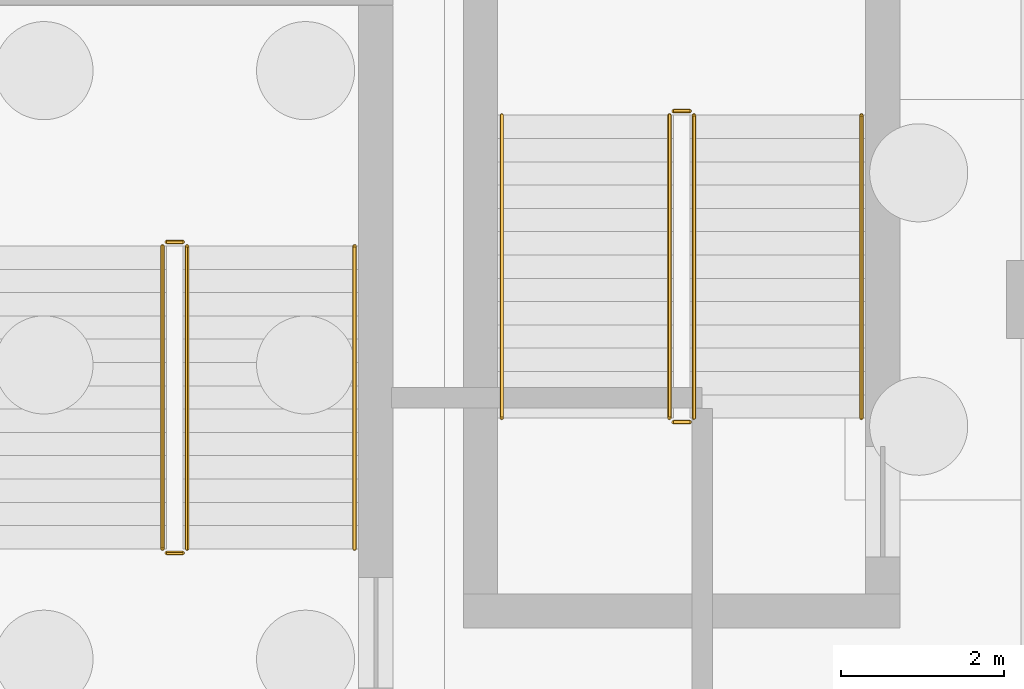
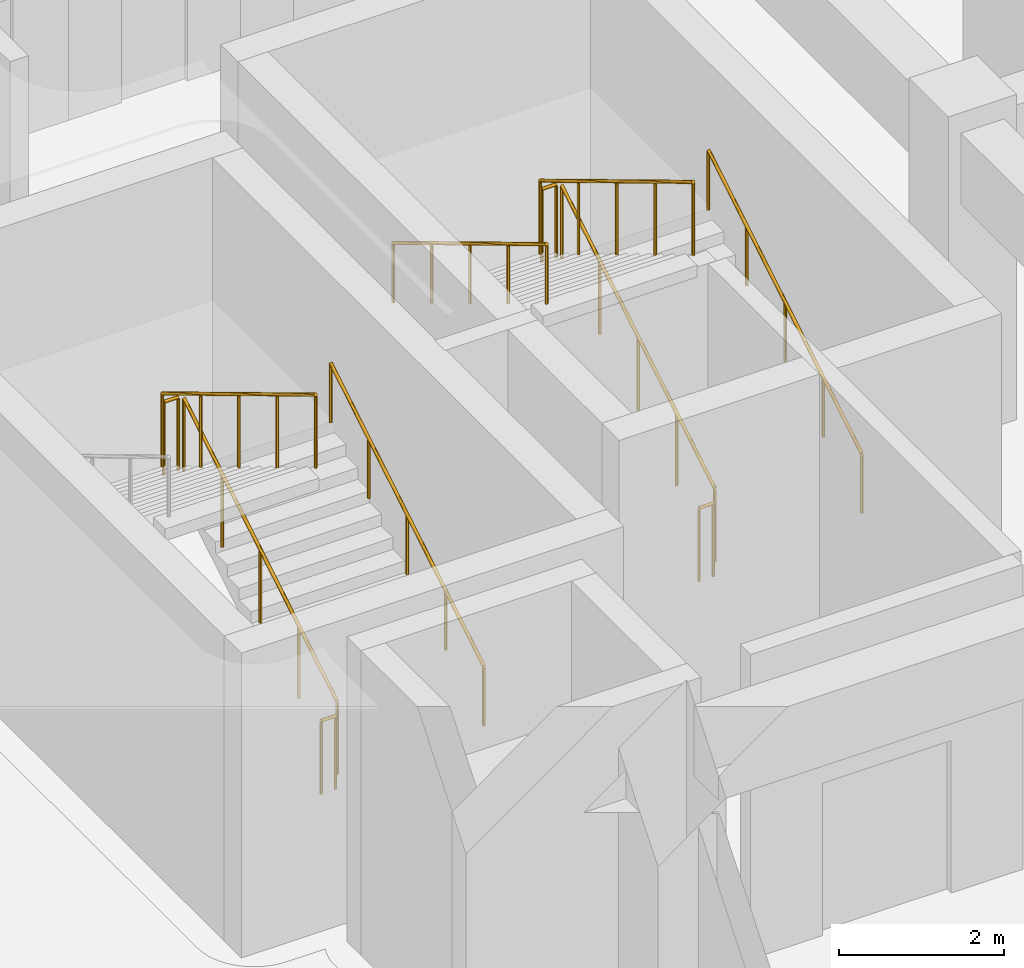
# One storey, part 22 of 47: 11 railings.
"""IFC4 building model written with IfcOpenShell, lengths in metres."""

from ifc_helpers import new_model, si_unit, direction, frame, origin, origin_2d, place, context, subcontext, project, spatial, circle, extrude, material, type_object, element, save


model = new_model("IFC4")

# Units and contexts
model_context = context("Model", 3, precision=1e-05, world=origin(), true_north=direction((0.0, 1.0)))
body_context = subcontext(model_context, "Body", "Model", "MODEL_VIEW")
ifc_project = project(units=[si_unit("LENGTHUNIT", "METRE"), si_unit("AREAUNIT", "SQUARE_METRE"), si_unit("VOLUMEUNIT", "CUBIC_METRE"), si_unit("PLANEANGLEUNIT", "RADIAN"), si_unit("MASSUNIT", "GRAM", prefix="KILO")], contexts=[model_context])

# Site, building, storey
site_placement = place(None, origin())
site = spatial("IfcSite", under=ifc_project, at=site_placement, CompositionType="ELEMENT")
building_placement = place(site_placement, origin())
building = spatial("IfcBuilding", under=site, at=building_placement, Name="Cendralis Terraced Arcade", CompositionType="ELEMENT")
storey_placement = place(building_placement, frame((0.0, 0.0, -4.800048828125)))
storey = spatial("IfcBuildingStorey", under=building, at=storey_placement, Name="B1", CompositionType="ELEMENT", Elevation=-4.800048828125)

# Railings
ifc_material = material(Name="Brushed stainless steel AISI 316", Category="steel")
railing_type_1 = type_object("IfcRailingType", Name="RL-STAIR-GUARD-1100", PredefinedType="GUARDRAIL", material=ifc_material)
railing_1_placement = place(storey_placement, frame((8.699951171875, 25.75, 0.17138671875)))
element("IfcRailing", 1, at=railing_1_placement, inside=storey, type_object=railing_type_1, Name="B1 ST-01 stair guard 1", PredefinedType="GUARDRAIL", context=body_context, shape_type="SweptSolid", body=[
    extrude(circle(Radius=0.02392578125, at=origin_2d()), frame((0.0, 0.0, 1.076171875), z_axis=(0.0, 0.856909459561, 0.515466951525), x_axis=(-1.0, 0.0, 0.0)), (0.0, 0.0, 1.0), 4.32373046875),
    extrude(circle(Radius=0.02099609375, at=origin_2d()), origin(), (0.0, 0.0, 1.0), 1.052001953125),
    extrude(circle(Radius=0.02099609375, at=origin_2d()), frame((0.0, 0.92626953125, 0.55712890625)), (0.0, 0.0, 1.0), 1.052001953125),
    extrude(circle(Radius=0.02099609375, at=origin_2d()), frame((0.0, 1.8525390625, 1.1142578125)), (0.0, 0.0, 1.0), 1.052001953125),
    extrude(circle(Radius=0.02099609375, at=origin_2d()), frame((0.0, 2.77880859375, 1.671630859375)), (0.0, 0.0, 1.0), 1.052001953125),
    extrude(circle(Radius=0.02099609375, at=origin_2d()), frame((0.0, 3.705078125, 2.228759765625)), (0.0, 0.0, 1.0), 1.052001953125),
])
railing_2_placement = place(storey_placement, frame((8.64990234375, 29.5048828125, 2.400146484375)))
element("IfcRailing", 2, at=railing_2_placement, inside=storey, type_object=railing_type_1, Name="B1 ST-01 stair guard 2", PredefinedType="GUARDRAIL", context=body_context, shape_type="SweptSolid", body=[
    extrude(circle(Radius=0.02392578125, at=origin_2d()), frame((0.0, 0.0, 1.076171875), z_axis=(-1.0, 0.0, 0.0), x_axis=(0.0, -1.0, 0.0)), (0.0, 0.0, 1.0), 0.199951171875),
    extrude(circle(Radius=0.02099609375, at=origin_2d()), origin(), (0.0, 0.0, 1.0), 1.052001953125),
    extrude(circle(Radius=0.02099609375, at=origin_2d()), frame((-0.199951171875, 0.0, 0.0)), (0.0, 0.0, 1.0), 1.052001953125),
])
railing_3_placement = place(storey_placement, frame((8.39990234375, 29.455078125, 2.571533203125)))
element("IfcRailing", 3, at=railing_3_placement, inside=storey, type_object=railing_type_1, Name="B1 ST-01 stair guard 3", PredefinedType="GUARDRAIL", context=body_context, shape_type="SweptSolid", body=[
    extrude(circle(Radius=0.02392578125, at=origin_2d()), frame((0.0, 0.0, 1.076171875), z_axis=(0.0, -0.856934400257, 0.515425487977), x_axis=(1.0, 0.0, 0.0)), (0.0, 0.0, 1.0), 4.32373046875),
    extrude(circle(Radius=0.02099609375, at=origin_2d()), origin(), (0.0, 0.0, 1.0), 1.052001953125),
    extrude(circle(Radius=0.02099609375, at=origin_2d()), frame((0.0, -0.92626953125, 0.55712890625)), (0.0, 0.0, 1.0), 1.052001953125),
    extrude(circle(Radius=0.02099609375, at=origin_2d()), frame((0.0, -1.8525390625, 1.1142578125)), (0.0, 0.0, 1.0), 1.052001953125),
    extrude(circle(Radius=0.02099609375, at=origin_2d()), frame((0.0, -2.77880859375, 1.67138671875)), (0.0, 0.0, 1.0), 1.052001953125),
    extrude(circle(Radius=0.02099609375, at=origin_2d()), frame((0.0, -3.705078125, 2.228515625)), (0.0, 0.0, 1.0), 1.052001953125),
])
railing_4_placement = place(storey_placement, frame((8.64990234375, 25.699951171875, 0.0)))
element("IfcRailing", 4, at=railing_4_placement, inside=storey, type_object=railing_type_1, Name="B1 ST-01 stair guard 4", PredefinedType="GUARDRAIL", context=body_context, shape_type="SweptSolid", body=[
    extrude(circle(Radius=0.02392578125, at=origin_2d()), frame((0.0, 0.0, 1.076171875), z_axis=(-1.0, 0.0, 0.0), x_axis=(0.0, -1.0, 0.0)), (0.0, 0.0, 1.0), 0.199951171875),
    extrude(circle(Radius=0.02099609375, at=origin_2d()), origin(), (0.0, 0.0, 1.0), 1.052001953125),
    extrude(circle(Radius=0.02099609375, at=origin_2d()), frame((-0.199951171875, 0.0, 0.0)), (0.0, 0.0, 1.0), 1.052001953125),
])
railing_5_placement = place(storey_placement, frame((14.89990234375, 27.35009765625, 0.17138671875)))
element("IfcRailing", 5, at=railing_5_placement, inside=storey, type_object=railing_type_1, Name="B1 ST-05 stair guard 1", PredefinedType="GUARDRAIL", context=body_context, shape_type="SweptSolid", body=[
    extrude(circle(Radius=0.02392578125, at=origin_2d()), frame((0.0, 0.0, 1.076171875), z_axis=(0.0, 0.856894455432, 0.515491893485), x_axis=(-1.0, 0.0, 0.0)), (0.0, 0.0, 1.0), 4.323486328125),
    extrude(circle(Radius=0.02099609375, at=origin_2d()), origin(), (0.0, 0.0, 1.0), 1.052001953125),
    extrude(circle(Radius=0.02099609375, at=origin_2d()), frame((0.0, 0.92626953125, 0.55712890625)), (0.0, 0.0, 1.0), 1.052001953125),
    extrude(circle(Radius=0.02099609375, at=origin_2d()), frame((0.0, 1.8525390625, 1.1142578125)), (0.0, 0.0, 1.0), 1.052001953125),
    extrude(circle(Radius=0.02099609375, at=origin_2d()), frame((0.0, 2.778564453125, 1.671630859375)), (0.0, 0.0, 1.0), 1.052001953125),
    extrude(circle(Radius=0.02099609375, at=origin_2d()), frame((0.0, 3.704833984375, 2.228759765625)), (0.0, 0.0, 1.0), 1.052001953125),
])
railing_6_placement = place(storey_placement, frame((14.85009765625, 31.10498046875, 2.400146484375)))
element("IfcRailing", 6, at=railing_6_placement, inside=storey, type_object=railing_type_1, Name="B1 ST-05 stair guard 2", PredefinedType="GUARDRAIL", context=body_context, shape_type="SweptSolid", body=[
    extrude(circle(Radius=0.02392578125, at=origin_2d()), frame((0.0, 0.0, 1.076171875), z_axis=(-1.0, 0.0, 0.0), x_axis=(0.0, -1.0, 0.0)), (0.0, 0.0, 1.0), 0.2001953125),
    extrude(circle(Radius=0.02099609375, at=origin_2d()), origin(), (0.0, 0.0, 1.0), 1.052001953125),
    extrude(circle(Radius=0.02099609375, at=origin_2d()), frame((-0.2001953125, 0.0, 0.0)), (0.0, 0.0, 1.0), 1.052001953125),
])
railing_7_placement = place(storey_placement, frame((14.60009765625, 31.054931640625, 2.571533203125)))
element("IfcRailing", 7, at=railing_7_placement, inside=storey, type_object=railing_type_1, Name="B1 ST-05 stair guard 3", PredefinedType="GUARDRAIL", context=body_context, shape_type="SweptSolid", body=[
    extrude(circle(Radius=0.02392578125, at=origin_2d()), frame((0.0, 0.0, 1.076171875), z_axis=(0.0, -0.856919398105, 0.515450429384), x_axis=(1.0, 0.0, 0.0)), (0.0, 0.0, 1.0), 4.323486328125),
    extrude(circle(Radius=0.02099609375, at=origin_2d()), origin(), (0.0, 0.0, 1.0), 1.052001953125),
    extrude(circle(Radius=0.02099609375, at=origin_2d()), frame((0.0, -0.92626953125, 0.55712890625)), (0.0, 0.0, 1.0), 1.052001953125),
    extrude(circle(Radius=0.02099609375, at=origin_2d()), frame((0.0, -1.8525390625, 1.1142578125)), (0.0, 0.0, 1.0), 1.052001953125),
    extrude(circle(Radius=0.02099609375, at=origin_2d()), frame((0.0, -2.778564453125, 1.67138671875)), (0.0, 0.0, 1.0), 1.052001953125),
    extrude(circle(Radius=0.02099609375, at=origin_2d()), frame((0.0, -3.704833984375, 2.228515625)), (0.0, 0.0, 1.0), 1.052001953125),
])
railing_8_placement = place(storey_placement, frame((14.85009765625, 27.300048828125, 0.0)))
element("IfcRailing", 8, at=railing_8_placement, inside=storey, type_object=railing_type_1, Name="B1 ST-05 stair guard 4", PredefinedType="GUARDRAIL", context=body_context, shape_type="SweptSolid", body=[
    extrude(circle(Radius=0.02392578125, at=origin_2d()), frame((0.0, 0.0, 1.076171875), z_axis=(-1.0, 0.0, 0.0), x_axis=(0.0, -1.0, 0.0)), (0.0, 0.0, 1.0), 0.2001953125),
    extrude(circle(Radius=0.02099609375, at=origin_2d()), origin(), (0.0, 0.0, 1.0), 1.052001953125),
    extrude(circle(Radius=0.02099609375, at=origin_2d()), frame((-0.2001953125, 0.0, 0.0)), (0.0, 0.0, 1.0), 1.052001953125),
])
railing_type_2 = type_object("IfcRailingType", Name="RL-STAIR-HAND-900", PredefinedType="HANDRAIL", material=ifc_material)
railing_9_placement = place(storey_placement, frame((10.75, 25.75, 0.17138671875)))
element("IfcRailing", 9, at=railing_9_placement, inside=storey, type_object=railing_type_2, Name="B1 ST-01 stair handrail 1", PredefinedType="HANDRAIL", context=body_context, shape_type="SweptSolid", body=[
    extrude(circle(Radius=0.02392578125, at=origin_2d()), frame((0.0, 0.0, 0.8759765625), z_axis=(0.0, 0.856909459561, 0.515466951525), x_axis=(-1.0, 0.0, 0.0)), (0.0, 0.0, 1.0), 4.32373046875),
    extrude(circle(Radius=0.02099609375, at=origin_2d()), origin(), (0.0, 0.0, 1.0), 0.851806640625),
    extrude(circle(Radius=0.02099609375, at=origin_2d()), frame((0.0, 0.92626953125, 0.55712890625)), (0.0, 0.0, 1.0), 0.851806640625),
    extrude(circle(Radius=0.02099609375, at=origin_2d()), frame((0.0, 1.8525390625, 1.1142578125)), (0.0, 0.0, 1.0), 0.851806640625),
    extrude(circle(Radius=0.02099609375, at=origin_2d()), frame((0.0, 2.77880859375, 1.671630859375)), (0.0, 0.0, 1.0), 0.851806640625),
    extrude(circle(Radius=0.02099609375, at=origin_2d()), frame((0.0, 3.705078125, 2.228759765625)), (0.0, 0.0, 1.0), 0.851806640625),
])
railing_10_placement = place(storey_placement, frame((16.949951171875, 27.35009765625, 0.17138671875)))
element("IfcRailing", 10, at=railing_10_placement, inside=storey, type_object=railing_type_2, Name="B1 ST-05 stair handrail 1", PredefinedType="HANDRAIL", context=body_context, shape_type="SweptSolid", body=[
    extrude(circle(Radius=0.02392578125, at=origin_2d()), frame((0.0, 0.0, 0.8759765625), z_axis=(0.0, 0.856894455432, 0.515491893485), x_axis=(-1.0, 0.0, 0.0)), (0.0, 0.0, 1.0), 4.323486328125),
    extrude(circle(Radius=0.02099609375, at=origin_2d()), origin(), (0.0, 0.0, 1.0), 0.851806640625),
    extrude(circle(Radius=0.02099609375, at=origin_2d()), frame((0.0, 0.92626953125, 0.55712890625)), (0.0, 0.0, 1.0), 0.851806640625),
    extrude(circle(Radius=0.02099609375, at=origin_2d()), frame((0.0, 1.8525390625, 1.1142578125)), (0.0, 0.0, 1.0), 0.851806640625),
    extrude(circle(Radius=0.02099609375, at=origin_2d()), frame((0.0, 2.778564453125, 1.671630859375)), (0.0, 0.0, 1.0), 0.851806640625),
    extrude(circle(Radius=0.02099609375, at=origin_2d()), frame((0.0, 3.704833984375, 2.228759765625)), (0.0, 0.0, 1.0), 0.851806640625),
])
railing_11_placement = place(storey_placement, frame((12.550048828125, 31.054931640625, 2.571533203125)))
element("IfcRailing", 11, at=railing_11_placement, inside=storey, type_object=railing_type_2, Name="B1 ST-05 stair handrail 2", PredefinedType="HANDRAIL", context=body_context, shape_type="SweptSolid", body=[
    extrude(circle(Radius=0.02392578125, at=origin_2d()), frame((0.0, 0.0, 0.8759765625), z_axis=(0.0, -0.856919398105, 0.515450429384), x_axis=(1.0, 0.0, 0.0)), (0.0, 0.0, 1.0), 4.323486328125),
    extrude(circle(Radius=0.02099609375, at=origin_2d()), origin(), (0.0, 0.0, 1.0), 0.851806640625),
    extrude(circle(Radius=0.02099609375, at=origin_2d()), frame((0.0, -0.92626953125, 0.55712890625)), (0.0, 0.0, 1.0), 0.851806640625),
    extrude(circle(Radius=0.02099609375, at=origin_2d()), frame((0.0, -1.8525390625, 1.1142578125)), (0.0, 0.0, 1.0), 0.851806640625),
    extrude(circle(Radius=0.02099609375, at=origin_2d()), frame((0.0, -2.778564453125, 1.67138671875)), (0.0, 0.0, 1.0), 0.851806640625),
    extrude(circle(Radius=0.02099609375, at=origin_2d()), frame((0.0, -3.704833984375, 2.228515625)), (0.0, 0.0, 1.0), 0.851806640625),
])

save(model, "model.ifc")
